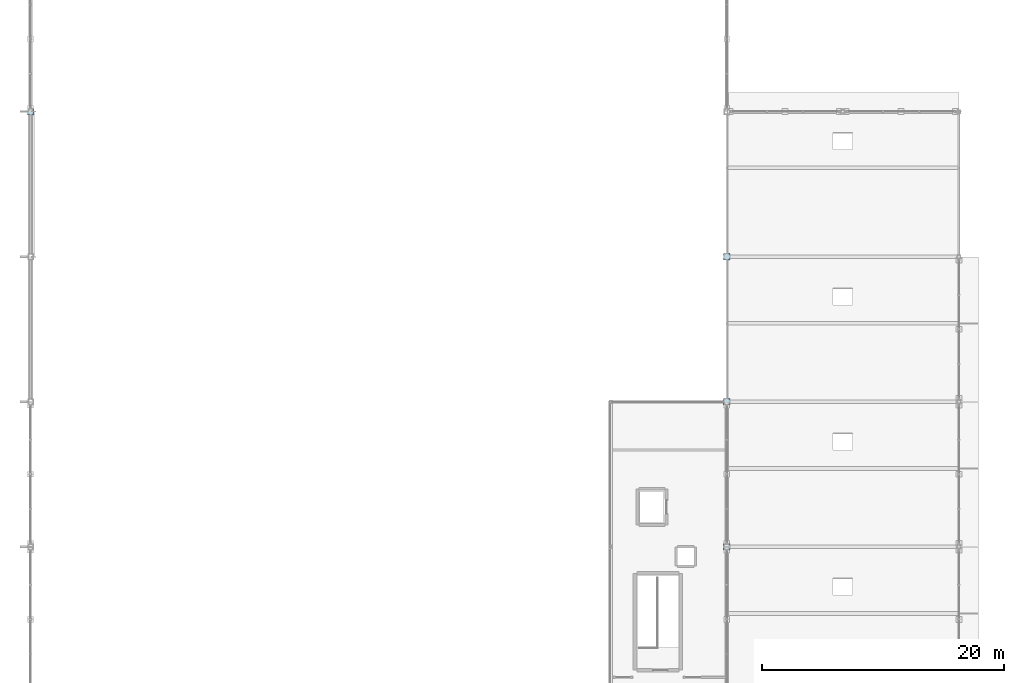
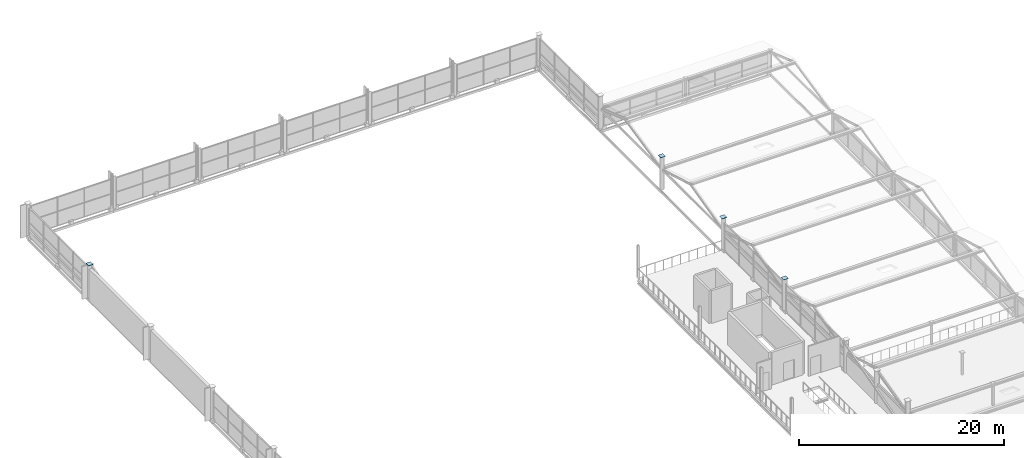
# One storey, part 102 of 117: 4 plates.
"""IFC4 building model written with IfcOpenShell, lengths in metres."""

from ifc_helpers import new_model, si_unit, direction, frame, origin, origin_2d, place, context, subcontext, project, spatial, rectangle, extrude, material, layer, layer_set, type_object, element, save


model = new_model("IFC4")

# Units and contexts
model_context = context("Model", 3, precision=1e-05, world=origin(), true_north=direction((0.0, 1.0)))
body_context = subcontext(model_context, "Body", "Model", "MODEL_VIEW")
ifc_project = project(units=[si_unit("LENGTHUNIT", "METRE"), si_unit("AREAUNIT", "SQUARE_METRE"), si_unit("VOLUMEUNIT", "CUBIC_METRE"), si_unit("PLANEANGLEUNIT", "RADIAN"), si_unit("MASSUNIT", "GRAM", prefix="KILO")], contexts=[model_context])

# Site, building, storey
site_placement = place(None, origin())
site = spatial("IfcSite", under=ifc_project, at=site_placement, CompositionType="ELEMENT")
building_placement = place(site_placement, origin())
building = spatial("IfcBuilding", under=site, at=building_placement, Name="Merenkruunu Market Hall", CompositionType="ELEMENT")
storey_placement = place(building_placement, frame((0.0, 0.0, 10.199951171875)))
storey = spatial("IfcBuildingStorey", under=building, at=storey_placement, Name="L02", CompositionType="ELEMENT", Elevation=10.199951171875)

# Plates
ifc_material = material(Name="Steel S355ML", Category="steel")
ifc_layer = layer(ifc_material, 0.02392578125)
ifc_layer_set = layer_set([ifc_layer], Name="Steel S355ML")
plate_type = type_object("IfcPlateType", Name="Truss Gusset Or Cap Plate CP03", PredefinedType="USERDEFINED", material=ifc_layer_set)
for number, where, z_axis, x_axis, name in (
    (1, (0.0, 99.60009765625, 3.898193359375), (0.0, 0.0, 1.0), (1.0, 0.0, 0.0), "PLT-CAP-010"),
    (2, (57.60009765625, 63.60009765625, 3.898193359375), (0.0, 0.0, 1.0), (1.0, 0.0, 0.0), "PLT-CAP-023"),
    (3, (57.60009765625, 75.60009765625, 3.898193359375), (0.0, 0.0, 1.0), (1.0, 0.0, 0.0), "PLT-CAP-024"),
    (4, (57.60009765625, 87.60009765625, 3.898193359375), (0.0, 0.0, 1.0), (1.0, 0.0, 0.0), "PLT-CAP-025"),
):
    element("IfcPlate", number, at=place(storey_placement, frame(where, z_axis=z_axis, x_axis=x_axis)), inside=storey, type_object=plate_type, Name=name, ObjectType="GUSSET_PLATE", PredefinedType="USERDEFINED", context=body_context, shape_type="SweptSolid", body=[
        extrude(rectangle(XDim=0.5400390625, YDim=0.5400390625, at=origin_2d()), origin(), (0.0, 0.0, 1.0), 0.02392578125),
    ])

save(model, "model.ifc")
